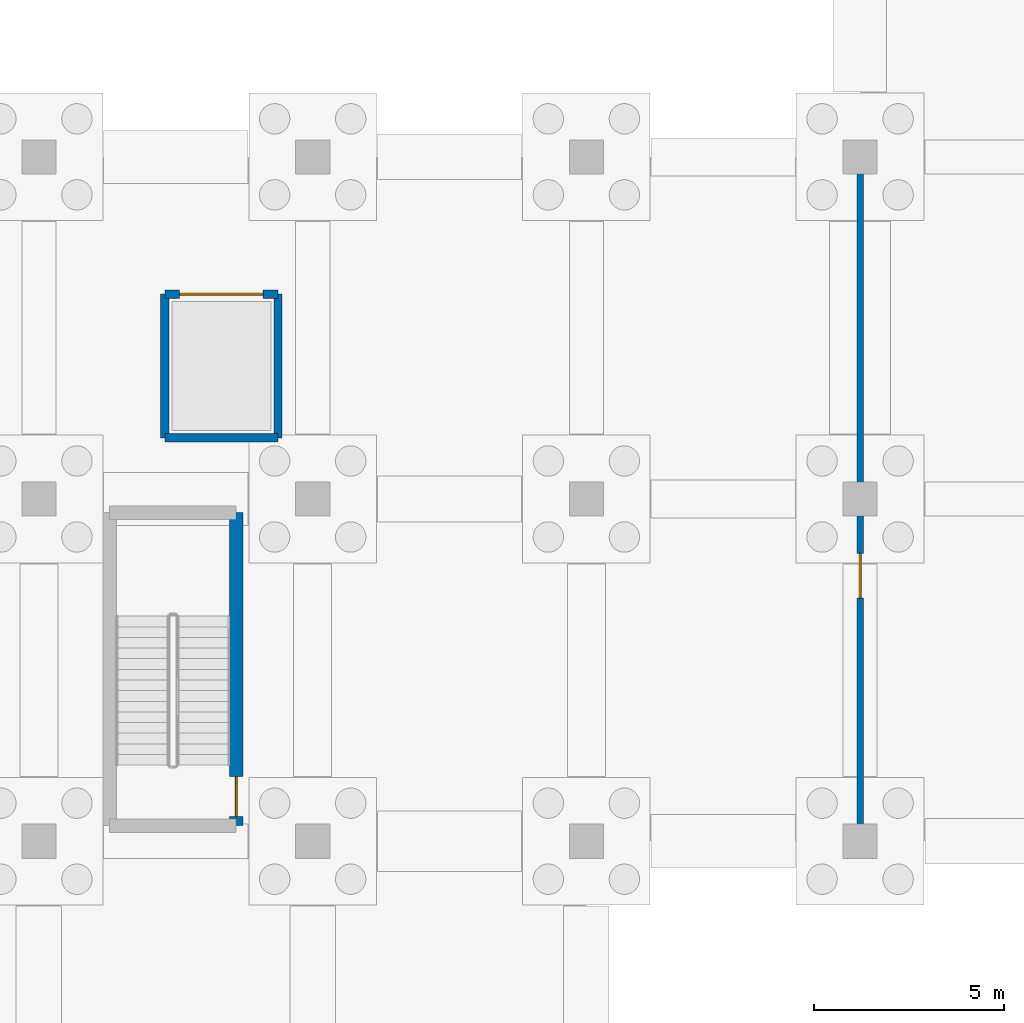
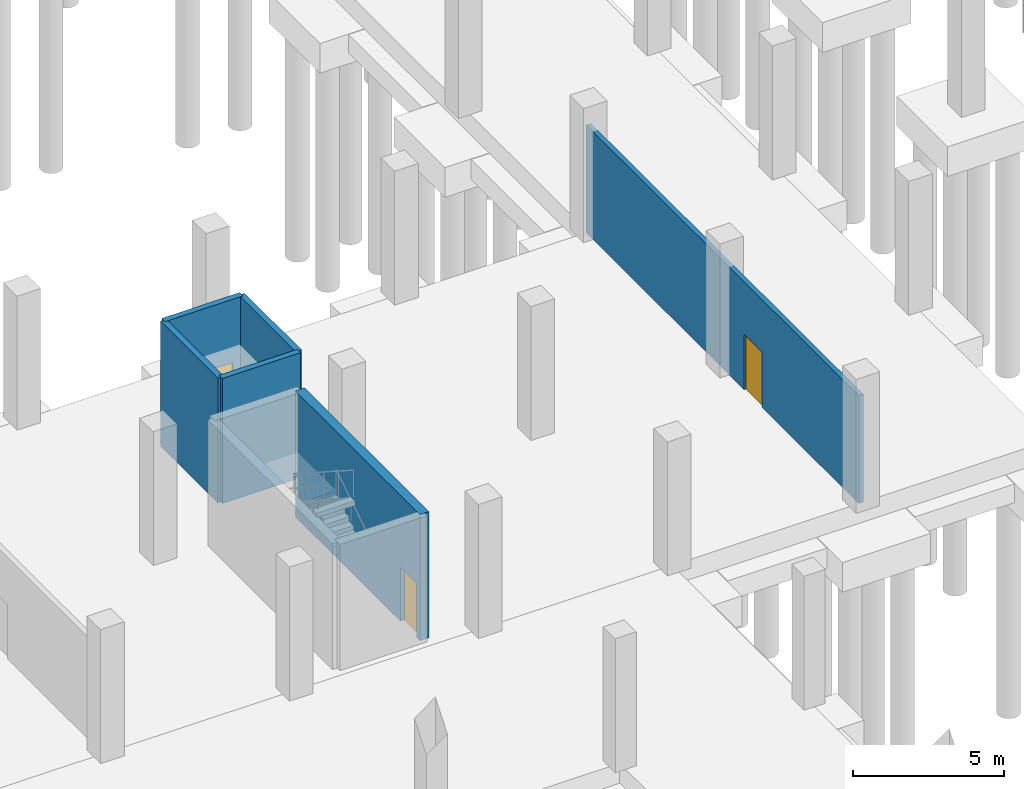
# One storey, part 32 of 42: 6 walls, 3 doors, 3 openings.
"""IFC4 building model written with IfcOpenShell, lengths in metres."""

from ifc_helpers import new_model, si_unit, direction, frame, frame_2d, origin, place, context, subcontext, project, spatial, rectangle, extrude, material, layer, layer_set, type_object, element, fill, save


model = new_model("IFC4")

# Units and contexts
model_context = context("Model", 3, precision=1e-05, world=origin(), true_north=direction((0.0, 1.0)))
body_context = subcontext(model_context, "Body", "Model", "MODEL_VIEW")
ifc_project = project(units=[si_unit("LENGTHUNIT", "METRE"), si_unit("AREAUNIT", "SQUARE_METRE"), si_unit("VOLUMEUNIT", "CUBIC_METRE"), si_unit("PLANEANGLEUNIT", "RADIAN"), si_unit("MASSUNIT", "GRAM", prefix="KILO")], contexts=[model_context])

# Site, building, storey
site_placement = place(None, origin())
site = spatial("IfcSite", under=ifc_project, at=site_placement, CompositionType="ELEMENT")
building_placement = place(site_placement, origin())
building = spatial("IfcBuilding", under=site, at=building_placement, Name="Sundgate Opera House", CompositionType="ELEMENT")
storey_placement = place(building_placement, frame((0.0, 0.0, -5.39990234375)))
storey = spatial("IfcBuildingStorey", under=building, at=storey_placement, Name="B01", CompositionType="ELEMENT", Elevation=-5.39990234375)

# Wall, opening, door
ifc_material_1 = material(Name="Concrete C40/50", Category="concrete")
ifc_layer_1 = layer(ifc_material_1, 0.35009765625)
ifc_layer_set_1 = layer_set([ifc_layer_1], Name="Concrete C40/50")
wall_type_1 = type_object("IfcWallType", Name="WL-CORE-350", PredefinedType="SHEAR", material=ifc_layer_set_1)
wall_1_placement = place(storey_placement, frame((136.590087890625, 69.409912109375, 0.0), z_axis=(0.0, 0.0, 1.0), x_axis=(0.0, 1.0, 0.0)))
wall_1 = element("IfcWall", 1, at=wall_1_placement, inside=storey, type_object=wall_type_1, Name="B01 C6 East Shaft Wall", PredefinedType="SHEAR", context=body_context, shape_type="SweptSolid", body=[
    extrude(rectangle(XDim=8.22998046875, YDim=0.35009765625, at=frame_2d((4.114990234375, 0.0))), origin(), (0.0, 0.0, 1.0), 5.079833984375),
])
opening_1_placement = place(wall_1_placement, frame((0.239990234375, 0.0, 0.0)))
opening_1 = element("IfcOpeningElement", 2, at=opening_1_placement, cuts=wall_1, Name="Opening DI01", PredefinedType="OPENING", context=body_context, shape_type="SweptSolid", body=[
    extrude(rectangle(XDim=1.050048828125, YDim=2.179931640625, at=frame_2d((0.52490234375, 1.08984375))), frame((0.0, 0.18505859375, 0.0), z_axis=(0.0, -1.0, 0.0), x_axis=(1.0, 0.0, 0.0)), (0.0, 0.0, 1.0), 0.3701171875),
])
ifc_material_2 = material(Name="Acoustic hardwood timber and steel core", Category="steel")
door_type_1 = type_object("IfcDoorType", Name="DR-STAIR-1050x2180", OperationType="NOTDEFINED", PredefinedType="DOOR", material=ifc_material_2)
door_1_placement = place(opening_1_placement, origin())
door_1 = element("IfcDoor", 3, at=door_1_placement, inside=storey, type_object=door_type_1, Name="B01 C6 Stair Door D0078", OperationType="SINGLE_SWING_RIGHT", OverallHeight=2.179931640625, OverallWidth=1.050048828125, PredefinedType="DOOR", context=body_context, shape_type="SweptSolid", body=[
    extrude(rectangle(XDim=1.050048828125, YDim=2.179931640625, at=frame_2d((0.52490234375, 1.08984375))), frame((0.0, 0.02490234375, 0.0), z_axis=(0.0, -1.0, 0.0), x_axis=(1.0, 0.0, 0.0)), (0.0, 0.0, 1.0), 0.050048828125),
])
fill(opening_1, door_1)

# Wall
ifc_material_3 = material(Name="Fire-rated gypsum and mineral-wool shaft partition", Category="gypsum")
ifc_layer_2 = layer(ifc_material_3, 0.219970703125)
ifc_layer_set_2 = layer_set([ifc_layer_2], Name="Fire-rated gypsum and mineral-wool shaft partition")
wall_type_2 = type_object("IfcWallType", Name="WL-INT-FIRE-220", PredefinedType="PARTITIONING", material=ifc_layer_set_2)
wall_2_placement = place(storey_placement, frame((134.7099609375, 79.610107421875, 0.0), z_axis=(0.0, 0.0, 1.0), x_axis=(1.0, 0.0, 0.0)))
element("IfcWall", 4, at=wall_2_placement, inside=storey, type_object=wall_type_2, Name="B01 GL-01 South Shaft Wall", PredefinedType="PARTITIONING", context=body_context, shape_type="SweptSolid", body=[
    extrude(rectangle(XDim=2.97998046875, YDim=0.219970703125, at=frame_2d((1.489990234375, 0.0))), origin(), (0.0, 0.0, 1.0), 5.044921875),
])

# Wall, opening, door
wall_3_placement = place(storey_placement, frame((134.7099609375, 83.389892578125, 0.0), z_axis=(0.0, 0.0, 1.0), x_axis=(1.0, 0.0, 0.0)))
wall_3 = element("IfcWall", 5, at=wall_3_placement, inside=storey, type_object=wall_type_2, Name="B01 GL-01 North Shaft Wall", PredefinedType="PARTITIONING", context=body_context, shape_type="SweptSolid", body=[
    extrude(rectangle(XDim=2.97998046875, YDim=0.219970703125, at=frame_2d((1.489990234375, 0.0))), origin(), (0.0, 0.0, 1.0), 5.044921875),
])
opening_2_placement = place(wall_3_placement, frame((0.389892578125, 0.0, 0.0)))
opening_2 = element("IfcOpeningElement", 6, at=opening_2_placement, cuts=wall_3, Name="Opening LD3", PredefinedType="OPENING", context=body_context, shape_type="SweptSolid", body=[
    extrude(rectangle(XDim=2.199951171875, YDim=2.5, at=frame_2d((1.10009765625, 1.25))), frame((0.0, 0.119873046875, 0.0), z_axis=(0.0, -1.0, 0.0), x_axis=(1.0, 0.0, 0.0)), (0.0, 0.0, 1.0), 0.239990234375),
])
ifc_material_4 = material(Name="Brushed stainless steel EN 1.4301", Category="steel")
door_type_2 = type_object("IfcDoorType", Name="DR-LIFT-2200x2500", OperationType="DOUBLE_DOOR_SLIDING", PredefinedType="DOOR", material=ifc_material_4)
door_2_placement = place(opening_2_placement, origin())
door_2 = element("IfcDoor", 7, at=door_2_placement, inside=storey, type_object=door_type_2, Name="B01 GL-01 Landing Door D0144", OperationType="DOUBLE_DOOR_SLIDING", OverallHeight=2.5, OverallWidth=2.199951171875, PredefinedType="DOOR", context=body_context, shape_type="SweptSolid", body=[
    extrude(rectangle(XDim=2.199951171875, YDim=2.5, at=frame_2d((1.10009765625, 1.25))), frame((0.0, 0.02490234375, 0.0), z_axis=(0.0, -1.0, 0.0), x_axis=(1.0, 0.0, 0.0)), (0.0, 0.0, 1.0), 0.050048828125),
])
fill(opening_2, door_2)

# Walls
for number, where, z_axis, x_axis, name in (
    (8, (134.7099609375, 79.610107421875, 0.0), (0.0, 0.0, 1.0), (0.0, 1.0, 0.0), "B01 GL-01 West Shaft Wall"),
    (9, (137.68994140625, 79.610107421875, 0.0), (0.0, 0.0, 1.0), (0.0, 1.0, 0.0), "B01 GL-01 East Shaft Wall"),
):
    element("IfcWall", number, at=place(storey_placement, frame(where, z_axis=z_axis, x_axis=x_axis)), inside=storey, type_object=wall_type_2, Name=name, PredefinedType="PARTITIONING", context=body_context, shape_type="SweptSolid", body=[
        extrude(rectangle(XDim=3.77978515625, YDim=0.219970703125, at=frame_2d((1.889892578125, 0.0))), origin(), (0.0, 0.0, 1.0), 5.044921875),
    ])

# Wall, opening, door
ifc_material_5 = material(Name="Acoustic rehearsal stud partition", Category="gypsum")
ifc_layer_3 = layer(ifc_material_5, 0.175048828125)
ifc_layer_set_3 = layer_set([ifc_layer_3], Name="Acoustic rehearsal stud partition")
wall_type_3 = type_object("IfcWallType", Name="WL-INT-PART-175", PredefinedType="PARTITIONING", material=ifc_layer_set_3)
wall_4_placement = place(storey_placement, frame((153.0, 69.0, 0.0), z_axis=(0.0, 0.0, 1.0), x_axis=(0.0, 1.0, 0.0)))
wall_4 = element("IfcWall", 10, at=wall_4_placement, inside=storey, type_object=wall_type_3, Name="B01 Interior Partition W0980", PredefinedType="PARTITIONING", context=body_context, shape_type="SweptSolid", body=[
    extrude(rectangle(XDim=18.0, YDim=0.175048828125, at=frame_2d((9.0, 0.0))), origin(), (0.0, 0.0, 1.0), 4.344970703125),
])
opening_3_placement = place(wall_4_placement, frame((6.39208984375, 0.0, 0.0)))
opening_3 = element("IfcOpeningElement", 11, at=opening_3_placement, cuts=wall_4, Name="Opening DI14", PredefinedType="OPENING", context=body_context, shape_type="SweptSolid", body=[
    extrude(rectangle(XDim=1.179931640625, YDim=2.219970703125, at=frame_2d((0.58984375, 1.10986328125))), frame((0.0, 0.097412109375, 0.0), z_axis=(0.0, -1.0, 0.0), x_axis=(1.0, 0.0, 0.0)), (0.0, 0.0, 1.0), 0.195068359375),
])
ifc_material_6 = material(Name="Acoustic hardwood timber and steel core", Category="steel")
door_type_3 = type_object("IfcDoorType", Name="DR-ARCH-1180x2220", OperationType="NOTDEFINED", PredefinedType="DOOR", material=ifc_material_6)
door_3_placement = place(opening_3_placement, origin())
door_3 = element("IfcDoor", 12, at=door_3_placement, inside=storey, type_object=door_type_3, Name="B01 Interior Door D0168", OperationType="SINGLE_SWING_LEFT", OverallHeight=2.219970703125, OverallWidth=1.179931640625, PredefinedType="DOOR", context=body_context, shape_type="SweptSolid", body=[
    extrude(rectangle(XDim=1.179931640625, YDim=2.219970703125, at=frame_2d((0.58984375, 1.10986328125))), frame((0.0, 0.02490234375, 0.0), z_axis=(0.0, -1.0, 0.0), x_axis=(1.0, 0.0, 0.0)), (0.0, 0.0, 1.0), 0.050048828125),
])
fill(opening_3, door_3)

save(model, "model.ifc")
